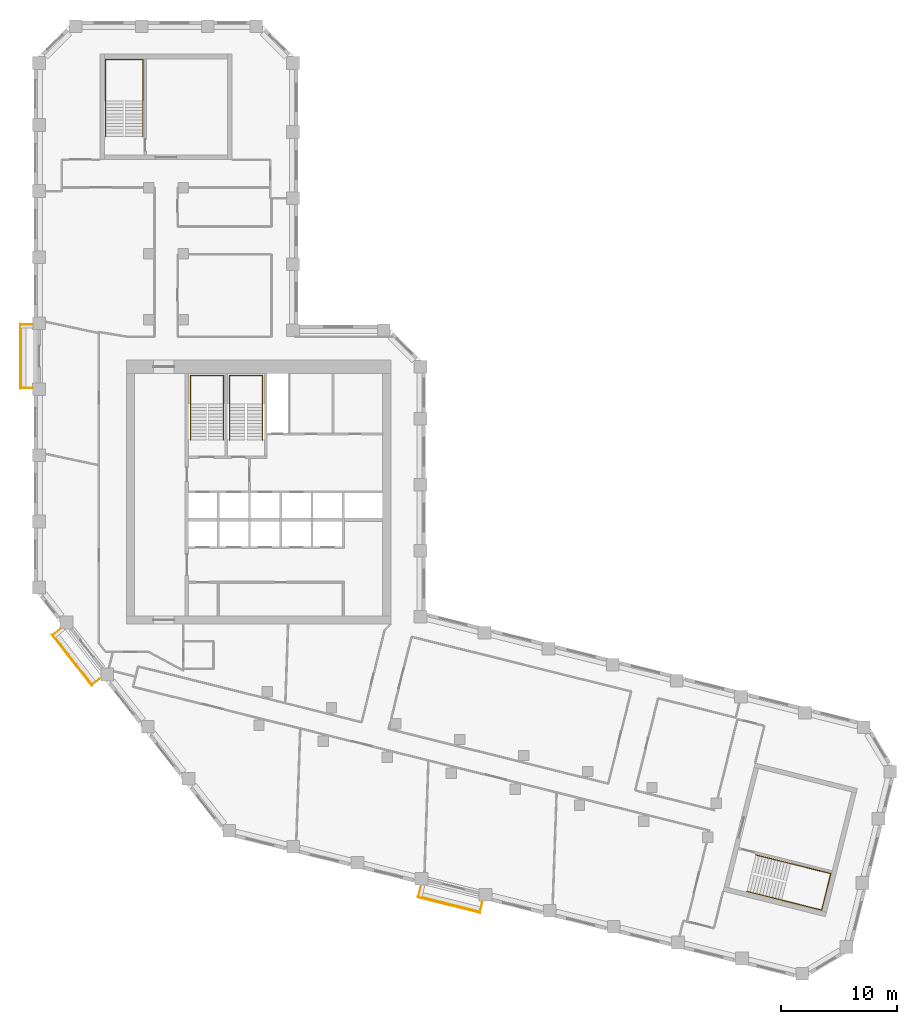
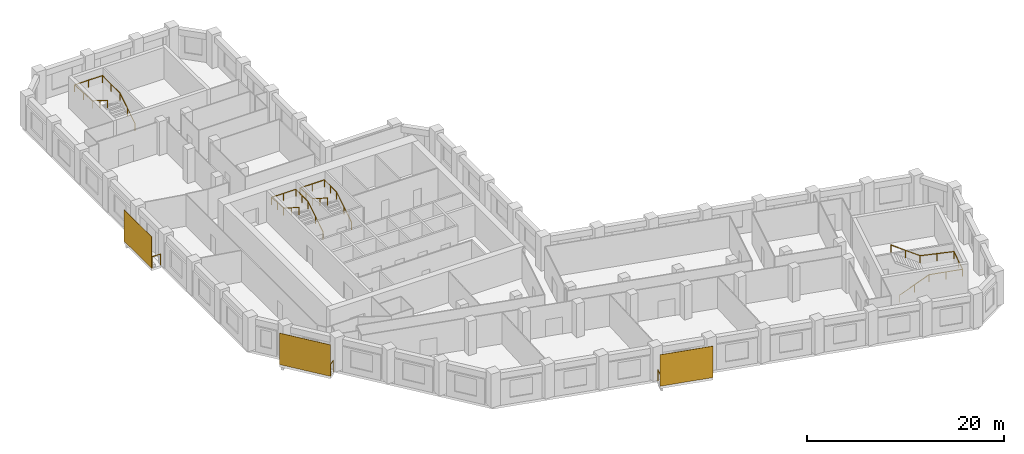
# One storey, part 10 of 10: 7 railings, 3 shading devices.
"""IFC4 building model written with IfcOpenShell, lengths in metres."""

from ifc_helpers import new_model, si_unit, direction, frame, origin, origin_2d, place, context, subcontext, project, spatial, rectangle, circle, extrude, material, layer, layer_set, type_object, element, save


model = new_model("IFC4")

# Units and contexts
model_context = context("Model", 3, precision=1e-05, world=origin(), true_north=direction((0.0, 1.0)))
body_context = subcontext(model_context, "Body", "Model", "MODEL_VIEW")
ifc_project = project(units=[si_unit("LENGTHUNIT", "METRE"), si_unit("AREAUNIT", "SQUARE_METRE"), si_unit("VOLUMEUNIT", "CUBIC_METRE"), si_unit("PLANEANGLEUNIT", "RADIAN"), si_unit("MASSUNIT", "GRAM", prefix="KILO")], contexts=[model_context])

# Site, building, storey
site_placement = place(None, origin())
site = spatial("IfcSite", under=ifc_project, at=site_placement, CompositionType="ELEMENT")
building_placement = place(site_placement, origin())
building = spatial("IfcBuilding", under=site, at=building_placement, Name="Meshkara Civic Tower", CompositionType="ELEMENT")
storey_placement = place(building_placement, frame((0.0, 0.0, 250.800048828125)))
storey = spatial("IfcBuildingStorey", under=building, at=storey_placement, Name="L57", CompositionType="ELEMENT", Elevation=250.800048828125)

# Railings
ifc_material_1 = material(Name="Steel S355", Category="steel")
railing_type_1 = type_object("IfcRailingType", Name="BALUSTRADE GUARD 1400", PredefinedType="BALUSTRADE", material=ifc_material_1)
railing_1_placement = place(storey_placement, frame((-0.10009765625, 39.93505859375, 0.0)))
element("IfcRailing", 1, at=railing_1_placement, inside=storey, type_object=railing_type_1, Name="Balcony guard", PredefinedType="BALUSTRADE", context=body_context, shape_type="SweptSolid", body=[
    extrude(circle(Radius=0.02392578125, at=origin_2d()), frame((0.0, 0.0, 1.3759765625), z_axis=(-1.0, 0.0, 0.0), x_axis=(0.0, -1.0, 0.0)), (0.0, 0.0, 1.0), 1.010009765625),
    extrude(circle(Radius=0.02392578125, at=origin_2d()), frame((-1.010009765625, 0.0, 1.3759765625), z_axis=(0.0, -1.0, 0.0), x_axis=(1.0, 0.0, 0.0)), (0.0, 0.0, 1.0), 5.4599609375),
    extrude(circle(Radius=0.02392578125, at=origin_2d()), frame((-1.010009765625, -5.4599609375, 1.3759765625), z_axis=(1.0, 0.0, 0.0), x_axis=(0.0, 1.0, 0.0)), (0.0, 0.0, 1.0), 1.010009765625),
    extrude(circle(Radius=0.02099609375, at=origin_2d()), origin(), (0.0, 0.0, 1.0), 1.351806640625),
    extrude(circle(Radius=0.02099609375, at=origin_2d()), frame((-1.010009765625, 0.0, 0.0)), (0.0, 0.0, 1.0), 1.351806640625),
    extrude(circle(Radius=0.02099609375, at=origin_2d()), frame((-1.010009765625, -1.092041015625, 0.0)), (0.0, 0.0, 1.0), 1.351806640625),
    extrude(circle(Radius=0.02099609375, at=origin_2d()), frame((-1.010009765625, -2.18408203125, 0.0)), (0.0, 0.0, 1.0), 1.351806640625),
    extrude(circle(Radius=0.02099609375, at=origin_2d()), frame((-1.010009765625, -3.27587890625, 0.0)), (0.0, 0.0, 1.0), 1.351806640625),
    extrude(circle(Radius=0.02099609375, at=origin_2d()), frame((-1.010009765625, -4.367919921875, 0.0)), (0.0, 0.0, 1.0), 1.351806640625),
    extrude(circle(Radius=0.02099609375, at=origin_2d()), frame((-1.010009765625, -5.4599609375, 0.0)), (0.0, 0.0, 1.0), 1.351806640625),
    extrude(circle(Radius=0.02099609375, at=origin_2d()), frame((0.0, -5.4599609375, 0.0)), (0.0, 0.0, 1.0), 1.351806640625),
])
railing_2_placement = place(storey_placement, frame((2.280029296875, 13.658935546875, 0.0)))
element("IfcRailing", 2, at=railing_2_placement, inside=storey, type_object=railing_type_1, Name="Balcony guard", PredefinedType="BALUSTRADE", context=body_context, shape_type="SweptSolid", body=[
    extrude(circle(Radius=0.02392578125, at=origin_2d()), frame((0.0, 0.0, 1.3759765625), z_axis=(-0.788249800523, -0.615355386729, 0.0), x_axis=(0.615355386729, -0.788249800523, 0.0)), (0.0, 0.0, 1.0), 0.787841796875),
    extrude(circle(Radius=0.02392578125, at=origin_2d()), frame((-0.62109375, -0.48486328125, 1.3759765625), z_axis=(0.615573755741, -0.788079279795, 0.0), x_axis=(0.788079279795, 0.615573755741, 0.0)), (0.0, 0.0, 1.0), 5.460205078125),
    extrude(circle(Radius=0.02392578125, at=origin_2d()), frame((2.739990234375, -4.787841796875, 1.3759765625), z_axis=(0.787648714287, 0.616124583896, 0.0), x_axis=(-0.616124583896, 0.787648714287, 0.0)), (0.0, 0.0, 1.0), 0.78857421875),
    extrude(circle(Radius=0.02099609375, at=origin_2d()), origin(), (0.0, 0.0, 1.0), 1.351806640625),
    extrude(circle(Radius=0.02099609375, at=origin_2d()), frame((-0.62109375, -0.48486328125, 0.0)), (0.0, 0.0, 1.0), 1.351806640625),
    extrude(circle(Radius=0.02099609375, at=origin_2d()), frame((0.051025390625, -1.345458984375, 0.0)), (0.0, 0.0, 1.0), 1.351806640625),
    extrude(circle(Radius=0.02099609375, at=origin_2d()), frame((0.723388671875, -2.2060546875, 0.0)), (0.0, 0.0, 1.0), 1.351806640625),
    extrude(circle(Radius=0.02099609375, at=origin_2d()), frame((1.3955078125, -3.066650390625, 0.0)), (0.0, 0.0, 1.0), 1.351806640625),
    extrude(circle(Radius=0.02099609375, at=origin_2d()), frame((2.06787109375, -3.92724609375, 0.0)), (0.0, 0.0, 1.0), 1.351806640625),
    extrude(circle(Radius=0.02099609375, at=origin_2d()), frame((2.739990234375, -4.787841796875, 0.0)), (0.0, 0.0, 1.0), 1.351806640625),
    extrude(circle(Radius=0.02099609375, at=origin_2d()), frame((3.361083984375, -4.302001953125, 0.0)), (0.0, 0.0, 1.0), 1.351806640625),
])
railing_3_placement = place(storey_placement, frame((33.39794921875, -8.550048828125, 0.0)))
element("IfcRailing", 3, at=railing_3_placement, inside=storey, type_object=railing_type_1, Name="Balcony guard", PredefinedType="BALUSTRADE", context=body_context, shape_type="SweptSolid", body=[
    extrude(circle(Radius=0.02392578125, at=origin_2d()), frame((0.0, 0.0, 1.3759765625), z_axis=(-0.241828319243, -0.97031905269, 0.0), x_axis=(0.97031905269, -0.241828319243, 0.0)), (0.0, 0.0, 1.0), 0.8935546875),
    extrude(circle(Radius=0.02392578125, at=origin_2d()), frame((-0.216064453125, -0.866943359375, 1.3759765625), z_axis=(0.970292231073, -0.24193591366, 0.0), x_axis=(0.24193591366, 0.970292231073, 0.0)), (0.0, 0.0, 1.0), 5.460205078125),
    extrude(circle(Radius=0.02392578125, at=origin_2d()), frame((5.08203125, -2.18798828125, 1.3759765625), z_axis=(0.241828319243, 0.97031905269, 0.0), x_axis=(-0.97031905269, 0.241828319243, 0.0)), (0.0, 0.0, 1.0), 0.8935546875),
    extrude(circle(Radius=0.02099609375, at=origin_2d()), origin(), (0.0, 0.0, 1.0), 1.351806640625),
    extrude(circle(Radius=0.02099609375, at=origin_2d()), frame((-0.216064453125, -0.866943359375, 0.0)), (0.0, 0.0, 1.0), 1.351806640625),
    extrude(circle(Radius=0.02099609375, at=origin_2d()), frame((0.843505859375, -1.131103515625, 0.0)), (0.0, 0.0, 1.0), 1.351806640625),
    extrude(circle(Radius=0.02099609375, at=origin_2d()), frame((1.903076171875, -1.395263671875, 0.0)), (0.0, 0.0, 1.0), 1.351806640625),
    extrude(circle(Radius=0.02099609375, at=origin_2d()), frame((2.962890625, -1.65966796875, 0.0)), (0.0, 0.0, 1.0), 1.351806640625),
    extrude(circle(Radius=0.02099609375, at=origin_2d()), frame((4.0224609375, -1.923828125, 0.0)), (0.0, 0.0, 1.0), 1.351806640625),
    extrude(circle(Radius=0.02099609375, at=origin_2d()), frame((5.08203125, -2.18798828125, 0.0)), (0.0, 0.0, 1.0), 1.351806640625),
    extrude(circle(Radius=0.02099609375, at=origin_2d()), frame((5.298095703125, -1.321044921875, 0.0)), (0.0, 0.0, 1.0), 1.351806640625),
])

# Shading devices
ifc_material_2 = material(Name="Perforated bronze anodised aluminium sheet", Category="aluminium")
ifc_layer = layer(ifc_material_2, 0.0400390625)
ifc_layer_set = layer_set([ifc_layer], Name="PERFORATED BRONZE SCREEN")
shading_device_type = type_object("IfcShadingDeviceType", Name="PERFORATED BRONZE SCREEN", PredefinedType="USERDEFINED", material=ifc_layer_set)
for number, where, z_axis, x_axis, name in (
    (4, (-1.179931640625, 37.205078125, 0.0), (0.0, 0.0, 1.0), (0.0, -1.0, 0.0), "Balcony screen"),
    (5, (3.283935546875, 10.97998046875, 0.0), (0.0, 0.0, 1.0), (0.615661475326, -0.788010753607, 0.0), "Balcony screen"),
    (6, (35.81396484375, -10.14599609375, 0.0), (0.0, 0.0, 1.0), (0.970299948462, -0.241904960708, 0.0), "Balcony screen"),
):
    element("IfcShadingDevice", number, at=place(storey_placement, frame(where, z_axis=z_axis, x_axis=x_axis)), inside=storey, type_object=shading_device_type, Name=name, ObjectType="SCREEN", PredefinedType="USERDEFINED", context=body_context, shape_type="SweptSolid", body=[
        extrude(rectangle(XDim=5.580078125, YDim=0.0400390625, at=origin_2d()), origin(), (0.0, 0.0, 1.0), 3.89990234375),
    ])

# Railings
ifc_material_3 = material(Name="Steel handrail", Category="steel")
railing_type_2 = type_object("IfcRailingType", Name="Stair handrail 900", PredefinedType="HANDRAIL", material=ifc_material_3)
railing_4_placement = place(storey_placement, frame((16.375, 30.0, 0.175048828125)))
element("IfcRailing", 7, at=railing_4_placement, inside=storey, type_object=railing_type_2, Name="L57 ST1 stair handrail 1", PredefinedType="HANDRAIL", context=body_context, shape_type="SweptSolid", body=[
    extrude(circle(Radius=0.02392578125, at=origin_2d()), frame((0.0, 0.0, 0.8759765625), z_axis=(0.0, 0.848028513186, 0.529950602248), x_axis=(-1.0, 0.0, 0.0)), (0.0, 0.0, 1.0), 3.632080078125),
    extrude(circle(Radius=0.02392578125, at=origin_2d()), frame((0.0, 3.080078125, 2.80078125), z_axis=(0.0, 1.0, 0.0), x_axis=(-1.0, 0.0, 0.0)), (0.0, 0.0, 1.0), 2.469970703125),
    extrude(circle(Radius=0.02392578125, at=origin_2d()), frame((0.0, 5.550048828125, 2.80078125), z_axis=(-1.0, 0.0, 0.0), x_axis=(0.0, -1.0, 0.0)), (0.0, 0.0, 1.0), 2.85009765625),
    extrude(circle(Radius=0.02392578125, at=origin_2d()), frame((-2.85009765625, 5.550048828125, 2.80078125), z_axis=(0.0, -0.997498084828, 0.070693498747), x_axis=(1.0, 0.0, 0.0)), (0.0, 0.0, 1.0), 2.47607421875),
    extrude(circle(Radius=0.02392578125, at=origin_2d()), frame((-2.85009765625, 3.080078125, 2.9755859375), z_axis=(0.0, -0.847998304005, 0.529998940003), x_axis=(1.0, 0.0, 0.0)), (0.0, 0.0, 1.0), 3.632080078125),
    extrude(circle(Radius=0.02099609375, at=origin_2d()), origin(), (0.0, 0.0, 1.0), 0.851806640625),
    extrude(circle(Radius=0.02099609375, at=origin_2d()), frame((0.0, 1.5400390625, 0.96240234375)), (0.0, 0.0, 1.0), 0.851806640625),
    extrude(circle(Radius=0.02099609375, at=origin_2d()), frame((0.0, 3.080078125, 1.9248046875)), (0.0, 0.0, 1.0), 0.851806640625),
    extrude(circle(Radius=0.02099609375, at=origin_2d()), frame((0.0, 4.31494140625, 1.9248046875)), (0.0, 0.0, 1.0), 0.851806640625),
    extrude(circle(Radius=0.02099609375, at=origin_2d()), frame((0.0, 5.550048828125, 1.9248046875)), (0.0, 0.0, 1.0), 0.851806640625),
    extrude(circle(Radius=0.02099609375, at=origin_2d()), frame((-1.425048828125, 5.550048828125, 1.9248046875)), (0.0, 0.0, 1.0), 0.851806640625),
    extrude(circle(Radius=0.02099609375, at=origin_2d()), frame((-2.85009765625, 5.550048828125, 1.9248046875)), (0.0, 0.0, 1.0), 0.851806640625),
    extrude(circle(Radius=0.02099609375, at=origin_2d()), frame((-2.85009765625, 4.31494140625, 2.01220703125)), (0.0, 0.0, 1.0), 0.851806640625),
    extrude(circle(Radius=0.02099609375, at=origin_2d()), frame((-2.85009765625, 3.080078125, 2.099853515625)), (0.0, 0.0, 1.0), 0.851806640625),
    extrude(circle(Radius=0.02099609375, at=origin_2d()), frame((-2.85009765625, 1.5400390625, 3.0625)), (0.0, 0.0, 1.0), 0.851806640625),
    extrude(circle(Radius=0.02099609375, at=origin_2d()), frame((-2.85009765625, 0.0, 4.02490234375)), (0.0, 0.0, 1.0), 0.851806640625),
])
railing_5_placement = place(storey_placement, frame((19.72509765625, 30.0, 0.175048828125)))
element("IfcRailing", 8, at=railing_5_placement, inside=storey, type_object=railing_type_2, Name="L57 ST2 stair handrail 1", PredefinedType="HANDRAIL", context=body_context, shape_type="SweptSolid", body=[
    extrude(circle(Radius=0.02392578125, at=origin_2d()), frame((0.0, 0.0, 0.8759765625), z_axis=(0.0, 0.848028513186, 0.529950602248), x_axis=(-1.0, 0.0, 0.0)), (0.0, 0.0, 1.0), 3.632080078125),
    extrude(circle(Radius=0.02392578125, at=origin_2d()), frame((0.0, 3.080078125, 2.80078125), z_axis=(0.0, 1.0, 0.0), x_axis=(-1.0, 0.0, 0.0)), (0.0, 0.0, 1.0), 2.469970703125),
    extrude(circle(Radius=0.02392578125, at=origin_2d()), frame((0.0, 5.550048828125, 2.80078125), z_axis=(-1.0, 0.0, 0.0), x_axis=(0.0, -1.0, 0.0)), (0.0, 0.0, 1.0), 2.85009765625),
    extrude(circle(Radius=0.02392578125, at=origin_2d()), frame((-2.85009765625, 5.550048828125, 2.80078125), z_axis=(0.0, -0.997498084828, 0.070693498747), x_axis=(1.0, 0.0, 0.0)), (0.0, 0.0, 1.0), 2.47607421875),
    extrude(circle(Radius=0.02392578125, at=origin_2d()), frame((-2.85009765625, 3.080078125, 2.9755859375), z_axis=(0.0, -0.847998304005, 0.529998940003), x_axis=(1.0, 0.0, 0.0)), (0.0, 0.0, 1.0), 3.632080078125),
    extrude(circle(Radius=0.02099609375, at=origin_2d()), origin(), (0.0, 0.0, 1.0), 0.851806640625),
    extrude(circle(Radius=0.02099609375, at=origin_2d()), frame((0.0, 1.5400390625, 0.96240234375)), (0.0, 0.0, 1.0), 0.851806640625),
    extrude(circle(Radius=0.02099609375, at=origin_2d()), frame((0.0, 3.080078125, 1.9248046875)), (0.0, 0.0, 1.0), 0.851806640625),
    extrude(circle(Radius=0.02099609375, at=origin_2d()), frame((0.0, 4.31494140625, 1.9248046875)), (0.0, 0.0, 1.0), 0.851806640625),
    extrude(circle(Radius=0.02099609375, at=origin_2d()), frame((0.0, 5.550048828125, 1.9248046875)), (0.0, 0.0, 1.0), 0.851806640625),
    extrude(circle(Radius=0.02099609375, at=origin_2d()), frame((-1.425048828125, 5.550048828125, 1.9248046875)), (0.0, 0.0, 1.0), 0.851806640625),
    extrude(circle(Radius=0.02099609375, at=origin_2d()), frame((-2.85009765625, 5.550048828125, 1.9248046875)), (0.0, 0.0, 1.0), 0.851806640625),
    extrude(circle(Radius=0.02099609375, at=origin_2d()), frame((-2.85009765625, 4.31494140625, 2.01220703125)), (0.0, 0.0, 1.0), 0.851806640625),
    extrude(circle(Radius=0.02099609375, at=origin_2d()), frame((-2.85009765625, 3.080078125, 2.099853515625)), (0.0, 0.0, 1.0), 0.851806640625),
    extrude(circle(Radius=0.02099609375, at=origin_2d()), frame((-2.85009765625, 1.5400390625, 3.0625)), (0.0, 0.0, 1.0), 0.851806640625),
    extrude(circle(Radius=0.02099609375, at=origin_2d()), frame((-2.85009765625, 0.0, 4.02490234375)), (0.0, 0.0, 1.0), 0.851806640625),
])
railing_6_placement = place(storey_placement, frame((9.425048828125, 56.169921875, 0.175048828125)))
element("IfcRailing", 9, at=railing_6_placement, inside=storey, type_object=railing_type_2, Name="L57 ESA4 stair handrail 1", PredefinedType="HANDRAIL", context=body_context, shape_type="SweptSolid", body=[
    extrude(circle(Radius=0.02392578125, at=origin_2d()), frame((0.0, 0.0, 0.8759765625), z_axis=(0.0, 0.848028513186, 0.529950602248), x_axis=(-1.0, 0.0, 0.0)), (0.0, 0.0, 1.0), 3.632080078125),
    extrude(circle(Radius=0.02392578125, at=origin_2d()), frame((0.0, 3.080078125, 2.80078125), z_axis=(0.0, 1.0, 0.0), x_axis=(-1.0, 0.0, 0.0)), (0.0, 0.0, 1.0), 3.570068359375),
    extrude(circle(Radius=0.02392578125, at=origin_2d()), frame((0.0, 6.650146484375, 2.80078125), z_axis=(-1.0, 0.0, 0.0), x_axis=(0.0, -1.0, 0.0)), (0.0, 0.0, 1.0), 3.25),
    extrude(circle(Radius=0.02392578125, at=origin_2d()), frame((-3.25, 6.650146484375, 2.80078125), z_axis=(0.0, -0.998800077689, 0.048973511297), x_axis=(1.0, 0.0, 0.0)), (0.0, 0.0, 1.0), 3.574462890625),
    extrude(circle(Radius=0.02392578125, at=origin_2d()), frame((-3.25, 3.080078125, 2.9755859375), z_axis=(0.0, -0.847998304005, 0.529998940003), x_axis=(1.0, 0.0, 0.0)), (0.0, 0.0, 1.0), 3.632080078125),
    extrude(circle(Radius=0.02099609375, at=origin_2d()), origin(), (0.0, 0.0, 1.0), 0.851806640625),
    extrude(circle(Radius=0.02099609375, at=origin_2d()), frame((0.0, 1.5400390625, 0.96240234375)), (0.0, 0.0, 1.0), 0.851806640625),
    extrude(circle(Radius=0.02099609375, at=origin_2d()), frame((0.0, 3.080078125, 1.9248046875)), (0.0, 0.0, 1.0), 0.851806640625),
    extrude(circle(Radius=0.02099609375, at=origin_2d()), frame((0.0, 4.865234375, 1.9248046875)), (0.0, 0.0, 1.0), 0.851806640625),
    extrude(circle(Radius=0.02099609375, at=origin_2d()), frame((0.0, 6.650146484375, 1.9248046875)), (0.0, 0.0, 1.0), 0.851806640625),
    extrude(circle(Radius=0.02099609375, at=origin_2d()), frame((-1.625, 6.650146484375, 1.9248046875)), (0.0, 0.0, 1.0), 0.851806640625),
    extrude(circle(Radius=0.02099609375, at=origin_2d()), frame((-3.25, 6.650146484375, 1.9248046875)), (0.0, 0.0, 1.0), 0.851806640625),
    extrude(circle(Radius=0.02099609375, at=origin_2d()), frame((-3.25, 4.865234375, 2.01220703125)), (0.0, 0.0, 1.0), 0.851806640625),
    extrude(circle(Radius=0.02099609375, at=origin_2d()), frame((-3.25, 3.080078125, 2.099853515625)), (0.0, 0.0, 1.0), 0.851806640625),
    extrude(circle(Radius=0.02099609375, at=origin_2d()), frame((-3.25, 1.5400390625, 3.0625)), (0.0, 0.0, 1.0), 0.851806640625),
    extrude(circle(Radius=0.02099609375, at=origin_2d()), frame((-3.25, 0.0, 4.02490234375)), (0.0, 0.0, 1.0), 0.851806640625),
])
railing_7_placement = place(storey_placement, frame((61.526123046875, -8.97607421875, 0.175048828125)))
element("IfcRailing", 10, at=railing_7_placement, inside=storey, type_object=railing_type_2, Name="L57 ESB4 stair handrail 1", PredefinedType="HANDRAIL", context=body_context, shape_type="SweptSolid", body=[
    extrude(circle(Radius=0.02392578125, at=origin_2d()), frame((0.0, 0.0, 0.8759765625), z_axis=(0.822800919371, -0.205229673761, 0.529980592183), x_axis=(0.242013336109, 0.97027292302, 0.0)), (0.0, 0.0, 1.0), 3.6318359375),
    extrude(circle(Radius=0.02392578125, at=origin_2d()), frame((2.98828125, -0.745361328125, 2.80078125), z_axis=(0.97025503065, -0.242085058395, 0.0), x_axis=(0.242085058395, 0.97025503065, 0.0)), (0.0, 0.0, 1.0), 3.570068359375),
    extrude(circle(Radius=0.02392578125, at=origin_2d()), frame((6.4521484375, -1.609619140625, 2.80078125), z_axis=(0.242040676986, 0.970266103027, 0.0), x_axis=(-0.970266103027, 0.242040676986, 0.0)), (0.0, 0.0, 1.0), 3.25),
    extrude(circle(Radius=0.02392578125, at=origin_2d()), frame((7.23876953125, 1.543701171875, 2.80078125), z_axis=(-0.969086635977, 0.241810579499, 0.04897688856), x_axis=(-0.24210112213, -0.970251022501, 0.0)), (0.0, 0.0, 1.0), 3.57421875),
    extrude(circle(Radius=0.02392578125, at=origin_2d()), frame((3.775146484375, 2.407958984375, 2.9755859375), z_axis=(-0.822793318929, 0.205211012392, 0.529999617659), x_axis=(-0.24199472324, -0.970277565403, 0.0)), (0.0, 0.0, 1.0), 3.632080078125),
    extrude(circle(Radius=0.02099609375, at=origin_2d()), origin(), (0.0, 0.0, 1.0), 0.851806640625),
    extrude(circle(Radius=0.02099609375, at=origin_2d()), frame((1.494140625, -0.37255859375, 0.96240234375)), (0.0, 0.0, 1.0), 0.851806640625),
    extrude(circle(Radius=0.02099609375, at=origin_2d()), frame((2.98828125, -0.745361328125, 1.9248046875)), (0.0, 0.0, 1.0), 0.851806640625),
    extrude(circle(Radius=0.02099609375, at=origin_2d()), frame((4.72021484375, -1.177490234375, 1.9248046875)), (0.0, 0.0, 1.0), 0.851806640625),
    extrude(circle(Radius=0.02099609375, at=origin_2d()), frame((6.4521484375, -1.609619140625, 1.9248046875)), (0.0, 0.0, 1.0), 0.851806640625),
    extrude(circle(Radius=0.02099609375, at=origin_2d()), frame((6.845458984375, -0.032958984375, 1.9248046875)), (0.0, 0.0, 1.0), 0.851806640625),
    extrude(circle(Radius=0.02099609375, at=origin_2d()), frame((7.23876953125, 1.543701171875, 1.9248046875)), (0.0, 0.0, 1.0), 0.851806640625),
    extrude(circle(Radius=0.02099609375, at=origin_2d()), frame((5.5068359375, 1.975830078125, 2.01220703125)), (0.0, 0.0, 1.0), 0.851806640625),
    extrude(circle(Radius=0.02099609375, at=origin_2d()), frame((3.775146484375, 2.407958984375, 2.099853515625)), (0.0, 0.0, 1.0), 0.851806640625),
    extrude(circle(Radius=0.02099609375, at=origin_2d()), frame((2.28076171875, 2.78076171875, 3.0625)), (0.0, 0.0, 1.0), 0.851806640625),
    extrude(circle(Radius=0.02099609375, at=origin_2d()), frame((0.78662109375, 3.1533203125, 4.02490234375)), (0.0, 0.0, 1.0), 0.851806640625),
])

save(model, "model.ifc")
